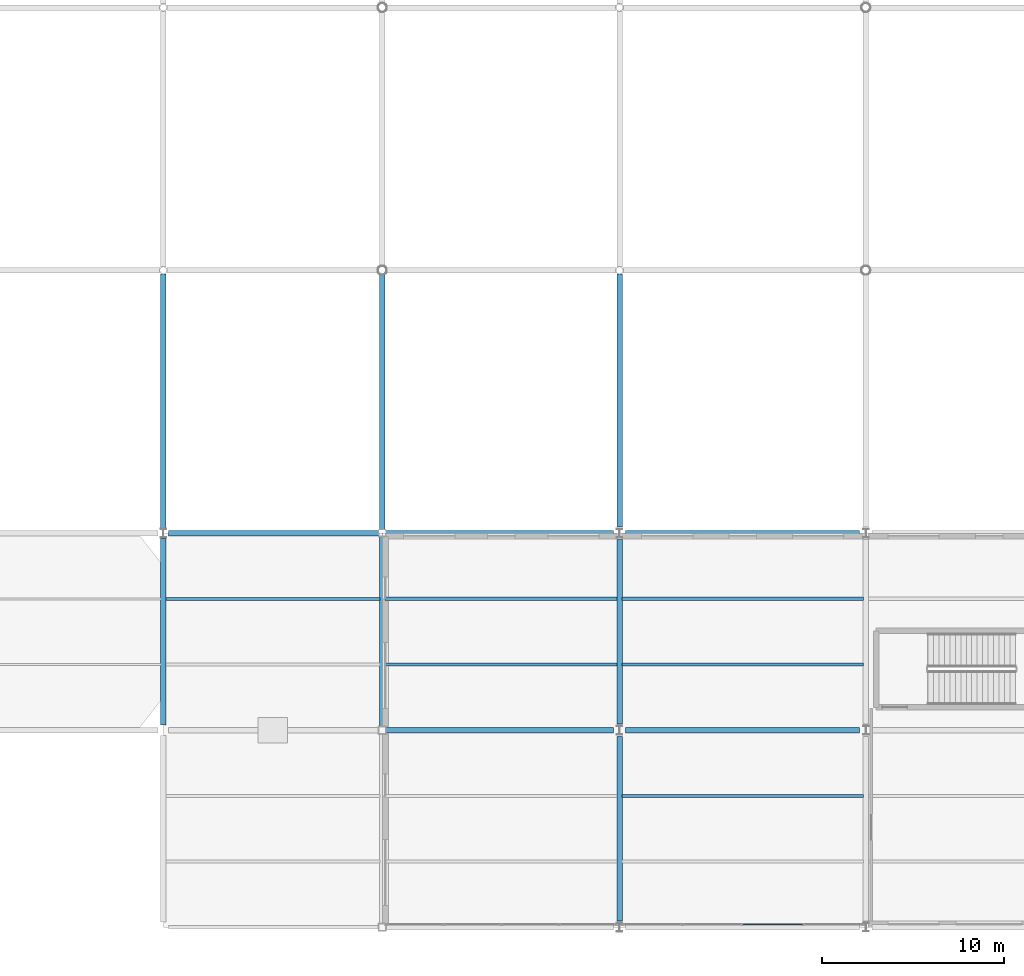
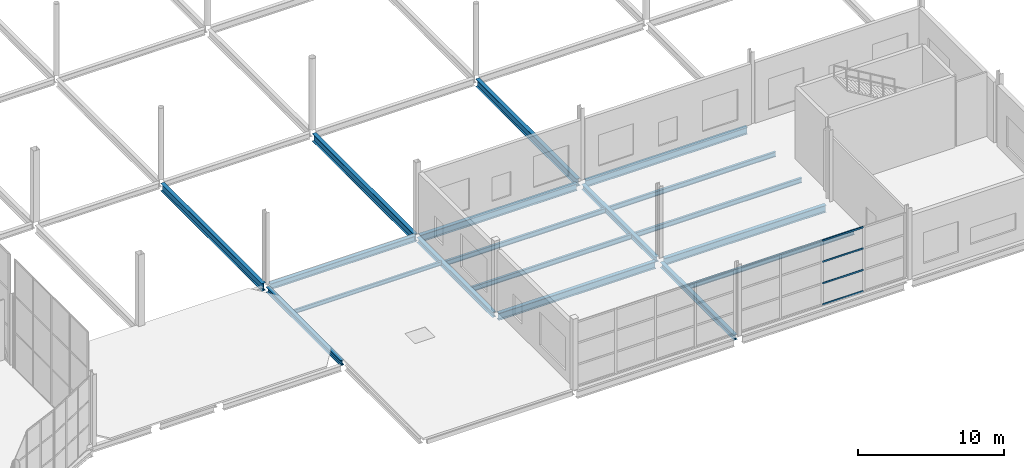
# One storey, part 133 of 191: 18 beams, 4 members, 1 element without a shape of its own.
"""IFC4 building model written with IfcOpenShell, lengths in metres."""

from ifc_helpers import new_model, si_unit, direction, frame, origin, origin_2d, place, context, subcontext, project, spatial, hollow_rectangle, i_section, extrude, material, layer, layer_set, material_profile, profile_set, type_object, element, aggregate, save


model = new_model("IFC4")

# Units and contexts
model_context = context("Model", 3, precision=1e-05, world=origin(), true_north=direction((0.0, 1.0)))
body_context = subcontext(model_context, "Body", "Model", "MODEL_VIEW")
ifc_project = project(units=[si_unit("LENGTHUNIT", "METRE"), si_unit("AREAUNIT", "SQUARE_METRE"), si_unit("VOLUMEUNIT", "CUBIC_METRE"), si_unit("PLANEANGLEUNIT", "RADIAN"), si_unit("MASSUNIT", "GRAM", prefix="KILO")], contexts=[model_context])

# Site, building, storey
site_placement = place(None, origin())
site = spatial("IfcSite", under=ifc_project, at=site_placement, CompositionType="ELEMENT")
building_placement = place(site_placement, origin())
building = spatial("IfcBuilding", under=site, at=building_placement, Name="Tamarisk Ironworks Central Station", CompositionType="ELEMENT")
storey_placement = place(building_placement, frame((0.0, 0.0, 6.60009765625)))
storey = spatial("IfcBuildingStorey", under=building, at=storey_placement, Name="L01", CompositionType="ELEMENT", Elevation=6.60009765625)

# Beams
ifc_material_1 = material(Name="Structural steel S355J2", Category="steel")
ifc_material_profile_1 = material_profile(ifc_material_1, i_section(OverallWidth=0.179931640625, OverallDepth=0.39990234375, WebThickness=0.008544921875, FlangeThickness=0.013427734375, at=origin_2d()), Name="IPE 400")
ifc_profile_set_1 = profile_set([ifc_material_profile_1], Name="Structural steel S355J2")
beam_type_1 = type_object("IfcBeamType", Name="BM-B04", PredefinedType="BEAM", material=ifc_profile_set_1)
for number, where, z_axis, x_axis, name in (
    (1, (140.135009765625, 14.39990234375, -0.4501953125), (1.0, 0.0, 0.0), (0.0, 1.0, 0.0), "L01 secondary composite beam 0107"),
    (2, (140.135009765625, 18.0, -0.4501953125), (1.0, 0.0, 0.0), (0.0, 1.0, 0.0), "L01 secondary composite beam 0108"),
):
    element("IfcBeam", number, at=place(storey_placement, frame(where, z_axis=z_axis, x_axis=x_axis)), inside=storey, type_object=beam_type_1, Name=name, PredefinedType="BEAM", context=body_context, shape_type="SweptSolid", body=[
        extrude(i_section(OverallWidth=0.179931640625, OverallDepth=0.39990234375, WebThickness=0.008544921875, FlangeThickness=0.013427734375, at=origin_2d()), origin(), (0.0, 0.0, 1.0), 12.72998046875),
    ])
for number, where, z_axis, x_axis, name in (
    (3, (153.135009765625, 7.199951171875, -0.4501953125), (1.0, 0.0, 0.0), (0.0, 1.0, 0.0), "L01 secondary composite beam 0110"),
    (4, (153.135009765625, 14.39990234375, -0.4501953125), (1.0, 0.0, 0.0), (0.0, 1.0, 0.0), "L01 secondary composite beam 0111"),
    (5, (153.135009765625, 18.0, -0.4501953125), (1.0, 0.0, 0.0), (0.0, 1.0, 0.0), "L01 secondary composite beam 0112"),
):
    element("IfcBeam", number, at=place(storey_placement, frame(where, z_axis=z_axis, x_axis=x_axis)), inside=storey, type_object=beam_type_1, Name=name, PredefinedType="BEAM", context=body_context, shape_type="SweptSolid", body=[
        extrude(i_section(OverallWidth=0.179931640625, OverallDepth=0.39990234375, WebThickness=0.008544921875, FlangeThickness=0.013427734375, at=origin_2d()), origin(), (0.0, 0.0, 1.0), 13.22998046875),
    ])
ifc_material_profile_2 = material_profile(ifc_material_1, i_section(OverallWidth=0.159912109375, OverallDepth=0.330078125, WebThickness=0.007568359375, FlangeThickness=0.011474609375, at=origin_2d()), Name="IPE 330")
ifc_profile_set_2 = profile_set([ifc_material_profile_2], Name="Structural steel S355J2")
beam_type_2 = type_object("IfcBeamType", Name="BM-B06", PredefinedType="BEAM", material=ifc_profile_set_2)
beam_1_placement = place(storey_placement, frame((128.135009765625, 18.0, -0.3251953125), z_axis=(1.0, 0.0, 0.0), x_axis=(0.0, 1.0, 0.0)))
element("IfcBeam", 6, at=beam_1_placement, inside=storey, type_object=beam_type_2, Name="L01 secondary composite beam 0104", PredefinedType="BEAM", context=body_context, shape_type="SweptSolid", body=[
    extrude(i_section(OverallWidth=0.159912109375, OverallDepth=0.330078125, WebThickness=0.007568359375, FlangeThickness=0.011474609375, at=origin_2d()), origin(), (0.0, 0.0, 1.0), 11.72998046875),
])
ifc_material_profile_3 = material_profile(ifc_material_1, i_section(OverallWidth=0.300048828125, OverallDepth=0.639892578125, WebThickness=0.013427734375, FlangeThickness=0.02587890625, at=origin_2d()), Name="HEA 650")
ifc_profile_set_3 = profile_set([ifc_material_profile_3], Name="Structural steel S355J2")
beam_type_3 = type_object("IfcBeamType", Name="BM-G02", PredefinedType="BEAM", material=ifc_profile_set_3)
beam_2_placement = place(storey_placement, frame((128.0, 21.887939453125, -0.570068359375), z_axis=(0.0, 1.0, 0.0), x_axis=(-1.0, 0.0, 0.0)))
element("IfcBeam", 7, at=beam_2_placement, inside=storey, type_object=beam_type_3, Name="L01 primary girder Y-0252", PredefinedType="BEAM", context=body_context, shape_type="SweptSolid", body=[
    extrude(i_section(OverallWidth=0.300048828125, OverallDepth=0.639892578125, WebThickness=0.013427734375, FlangeThickness=0.02587890625, at=origin_2d()), origin(), (0.0, 0.0, 1.0), 13.9208984375),
])
beam_3_placement = place(storey_placement, frame((140.0, 21.7880859375, -0.570068359375), z_axis=(0.0, 1.0, 0.0), x_axis=(-1.0, 0.0, 0.0)))
element("IfcBeam", 8, at=beam_3_placement, inside=storey, type_object=beam_type_3, Name="L01 primary girder Y-0261", PredefinedType="BEAM", context=body_context, shape_type="SweptSolid", body=[
    extrude(i_section(OverallWidth=0.300048828125, OverallDepth=0.639892578125, WebThickness=0.013427734375, FlangeThickness=0.02587890625, at=origin_2d()), origin(), (0.0, 0.0, 1.0), 13.969970703125),
])
beam_4_placement = place(storey_placement, frame((153.0, 21.93798828125, -0.570068359375), z_axis=(0.0, 1.0, 0.0), x_axis=(-1.0, 0.0, 0.0)))
element("IfcBeam", 9, at=beam_4_placement, inside=storey, type_object=beam_type_3, Name="L01 primary girder Y-0271", PredefinedType="BEAM", context=body_context, shape_type="SweptSolid", body=[
    extrude(i_section(OverallWidth=0.300048828125, OverallDepth=0.639892578125, WebThickness=0.013427734375, FlangeThickness=0.02587890625, at=origin_2d()), origin(), (0.0, 0.0, 1.0), 13.870849609375),
])
ifc_material_profile_4 = material_profile(ifc_material_1, i_section(OverallWidth=0.300048828125, OverallDepth=0.590087890625, WebThickness=0.012939453125, FlangeThickness=0.02490234375, at=origin_2d()), Name="HEA 600")
ifc_profile_set_4 = profile_set([ifc_material_profile_4], Name="Structural steel S355J2")
beam_type_4 = type_object("IfcBeamType", Name="BM-G03", PredefinedType="BEAM", material=ifc_profile_set_4)
beam_5_placement = place(storey_placement, frame((140.18798828125, 10.800048828125, -0.545166015625), z_axis=(1.0, 0.0, 0.0), x_axis=(0.0, 1.0, 0.0)))
element("IfcBeam", 10, at=beam_5_placement, inside=storey, type_object=beam_type_4, Name="L01 primary girder X-0024", PredefinedType="BEAM", context=body_context, shape_type="SweptSolid", body=[
    extrude(i_section(OverallWidth=0.300048828125, OverallDepth=0.590087890625, WebThickness=0.012939453125, FlangeThickness=0.02490234375, at=origin_2d()), origin(), (0.0, 0.0, 1.0), 12.47412109375),
])
beam_6_placement = place(storey_placement, frame((153.337890625, 10.800048828125, -0.545166015625), z_axis=(1.0, 0.0, 0.0), x_axis=(0.0, 1.0, 0.0)))
element("IfcBeam", 11, at=beam_6_placement, inside=storey, type_object=beam_type_4, Name="L01 primary girder X-0025", PredefinedType="BEAM", context=body_context, shape_type="SweptSolid", body=[
    extrude(i_section(OverallWidth=0.300048828125, OverallDepth=0.590087890625, WebThickness=0.012939453125, FlangeThickness=0.02490234375, at=origin_2d()), origin(), (0.0, 0.0, 1.0), 12.82421875),
])
beam_7_placement = place(storey_placement, frame((140.18798828125, 21.60009765625, -0.545166015625), z_axis=(1.0, 0.0, 0.0), x_axis=(0.0, 1.0, 0.0)))
element("IfcBeam", 12, at=beam_7_placement, inside=storey, type_object=beam_type_4, Name="L01 primary girder X-0039", PredefinedType="BEAM", context=body_context, shape_type="SweptSolid", body=[
    extrude(i_section(OverallWidth=0.300048828125, OverallDepth=0.590087890625, WebThickness=0.012939453125, FlangeThickness=0.02490234375, at=origin_2d()), origin(), (0.0, 0.0, 1.0), 12.47412109375),
])
beam_8_placement = place(storey_placement, frame((153.337890625, 21.60009765625, -0.545166015625), z_axis=(1.0, 0.0, 0.0), x_axis=(0.0, 1.0, 0.0)))
element("IfcBeam", 13, at=beam_8_placement, inside=storey, type_object=beam_type_4, Name="L01 primary girder X-0040", PredefinedType="BEAM", context=body_context, shape_type="SweptSolid", body=[
    extrude(i_section(OverallWidth=0.300048828125, OverallDepth=0.590087890625, WebThickness=0.012939453125, FlangeThickness=0.02490234375, at=origin_2d()), origin(), (0.0, 0.0, 1.0), 12.82421875),
])
ifc_material_profile_5 = material_profile(ifc_material_1, i_section(OverallWidth=0.300048828125, OverallDepth=0.489990234375, WebThickness=0.011962890625, FlangeThickness=0.02294921875, at=origin_2d()), Name="HEA 500")
ifc_profile_set_5 = profile_set([ifc_material_profile_5], Name="Structural steel S355J2")
beam_type_5 = type_object("IfcBeamType", Name="BM-G05", PredefinedType="BEAM", material=ifc_profile_set_5)
beam_9_placement = place(storey_placement, frame((128.2880859375, 21.60009765625, -0.405029296875), z_axis=(1.0, 0.0, 0.0), x_axis=(0.0, 1.0, 0.0)))
element("IfcBeam", 14, at=beam_9_placement, inside=storey, type_object=beam_type_5, Name="L01 primary girder X-0038", PredefinedType="BEAM", context=body_context, shape_type="SweptSolid", body=[
    extrude(i_section(OverallWidth=0.300048828125, OverallDepth=0.489990234375, WebThickness=0.011962890625, FlangeThickness=0.02294921875, at=origin_2d()), origin(), (0.0, 0.0, 1.0), 11.52392578125),
])
ifc_material_profile_6 = material_profile(ifc_material_1, i_section(OverallWidth=0.300048828125, OverallDepth=0.43994140625, WebThickness=0.011474609375, FlangeThickness=0.02099609375, at=origin_2d()), Name="HEA 450")
ifc_profile_set_6 = profile_set([ifc_material_profile_6], Name="Structural steel S355J2")
beam_type_6 = type_object("IfcBeamType", Name="BM-G06", PredefinedType="BEAM", material=ifc_profile_set_6)
beam_10_placement = place(storey_placement, frame((128.0, 11.087890625, -0.380126953125), z_axis=(0.0, 1.0, 0.0), x_axis=(-1.0, 0.0, 0.0)))
element("IfcBeam", 15, at=beam_10_placement, inside=storey, type_object=beam_type_6, Name="L01 primary girder Y-0251", PredefinedType="BEAM", context=body_context, shape_type="SweptSolid", body=[
    extrude(i_section(OverallWidth=0.300048828125, OverallDepth=0.43994140625, WebThickness=0.011474609375, FlangeThickness=0.02099609375, at=origin_2d()), origin(), (0.0, 0.0, 1.0), 10.22412109375),
])
beam_11_placement = place(storey_placement, frame((140.0, 10.988037109375, -0.47021484375), z_axis=(0.0, 1.0, 0.0), x_axis=(-1.0, 0.0, 0.0)))
element("IfcBeam", 16, at=beam_11_placement, inside=storey, type_object=beam_type_6, Name="L01 primary girder Y-0260", PredefinedType="BEAM", context=body_context, shape_type="SweptSolid", body=[
    extrude(i_section(OverallWidth=0.300048828125, OverallDepth=0.43994140625, WebThickness=0.011474609375, FlangeThickness=0.02099609375, at=origin_2d()), origin(), (0.0, 0.0, 1.0), 10.424072265625),
])
for number, where, z_axis, x_axis, name in (
    (17, (153.0, 0.337890625, -0.47021484375), (0.0, 1.0, 0.0), (-1.0, 0.0, 0.0), "L01 primary girder Y-0269"),
    (18, (153.0, 11.137939453125, -0.47021484375), (0.0, 1.0, 0.0), (-1.0, 0.0, 0.0), "L01 primary girder Y-0270"),
):
    element("IfcBeam", number, at=place(storey_placement, frame(where, z_axis=z_axis, x_axis=x_axis)), inside=storey, type_object=beam_type_6, Name=name, PredefinedType="BEAM", context=body_context, shape_type="SweptSolid", body=[
        extrude(i_section(OverallWidth=0.300048828125, OverallDepth=0.43994140625, WebThickness=0.011474609375, FlangeThickness=0.02099609375, at=origin_2d()), origin(), (0.0, 0.0, 1.0), 10.1240234375),
    ])

# Curtain wall, members
ifc_material_2 = material(Name="Anodized aluminium alloy 6063-T6", Category="aluminium")
ifc_layer = layer(ifc_material_2, 0.179931640625)
ifc_layer_set = layer_set([ifc_layer], Name="Anodized aluminium alloy 6063-T6")
curtain_wall_type = type_object("IfcCurtainWallType", Name="CW-16", PredefinedType="USERDEFINED", material=ifc_layer_set)
curtain_wall_placement = place(storey_placement, origin())
curtain_wall = element("IfcCurtainWall", 19, at=curtain_wall_placement, inside=storey, type_object=curtain_wall_type, Name="South-east annex L01 curtain wall 153", ObjectType="GLAZED CURTAIN WALL", PredefinedType="USERDEFINED")
ifc_material_profile_7 = material_profile(ifc_material_2, hollow_rectangle(XDim=0.06494140625, YDim=0.135009765625, WallThickness=0.00341796875, at=origin_2d()), Name="ALUM 135x65")
ifc_profile_set_7 = profile_set([ifc_material_profile_7], Name="Anodized aluminium alloy 6063-T6")
member_type = type_object("IfcMemberType", Name="CWT-02", PredefinedType="USERDEFINED", material=ifc_profile_set_7)
member_1_placement = place(storey_placement, frame((159.778564453125, 0.14990234375, 0.032470703125), z_axis=(1.0, 0.0, 0.0), x_axis=(0.0, 1.0, 0.0)))
member_1 = element("IfcMember", 20, at=member_1_placement, type_object=member_type, Name="CW16 transom 3.1", ObjectType="TRANSOM", PredefinedType="USERDEFINED", context=body_context, shape_type="SweptSolid", body=[
    extrude(hollow_rectangle(XDim=0.06494140625, YDim=0.135009765625, WallThickness=0.00341796875, at=origin_2d()), origin(), (0.0, 0.0, 1.0), 3.243896484375),
])
member_2_placement = place(storey_placement, frame((159.778564453125, 0.14990234375, 1.806640625), z_axis=(1.0, 0.0, 0.0), x_axis=(0.0, 1.0, 0.0)))
member_2 = element("IfcMember", 21, at=member_2_placement, type_object=member_type, Name="CW16 transom 3.2", ObjectType="TRANSOM", PredefinedType="USERDEFINED", context=body_context, shape_type="SweptSolid", body=[
    extrude(hollow_rectangle(XDim=0.06494140625, YDim=0.135009765625, WallThickness=0.00341796875, at=origin_2d()), origin(), (0.0, 0.0, 1.0), 3.243896484375),
])
member_3_placement = place(storey_placement, frame((159.778564453125, 0.14990234375, 3.61328125), z_axis=(1.0, 0.0, 0.0), x_axis=(0.0, 1.0, 0.0)))
member_3 = element("IfcMember", 22, at=member_3_placement, type_object=member_type, Name="CW16 transom 3.3", ObjectType="TRANSOM", PredefinedType="USERDEFINED", context=body_context, shape_type="SweptSolid", body=[
    extrude(hollow_rectangle(XDim=0.06494140625, YDim=0.135009765625, WallThickness=0.00341796875, at=origin_2d()), origin(), (0.0, 0.0, 1.0), 3.243896484375),
])
member_4_placement = place(storey_placement, frame((159.778564453125, 0.14990234375, 5.387451171875), z_axis=(1.0, 0.0, 0.0), x_axis=(0.0, 1.0, 0.0)))
member_4 = element("IfcMember", 23, at=member_4_placement, type_object=member_type, Name="CW16 transom 3.4", ObjectType="TRANSOM", PredefinedType="USERDEFINED", context=body_context, shape_type="SweptSolid", body=[
    extrude(hollow_rectangle(XDim=0.06494140625, YDim=0.135009765625, WallThickness=0.00341796875, at=origin_2d()), origin(), (0.0, 0.0, 1.0), 3.243896484375),
])
aggregate(curtain_wall, [member_1, member_2, member_3, member_4])

save(model, "model.ifc")
